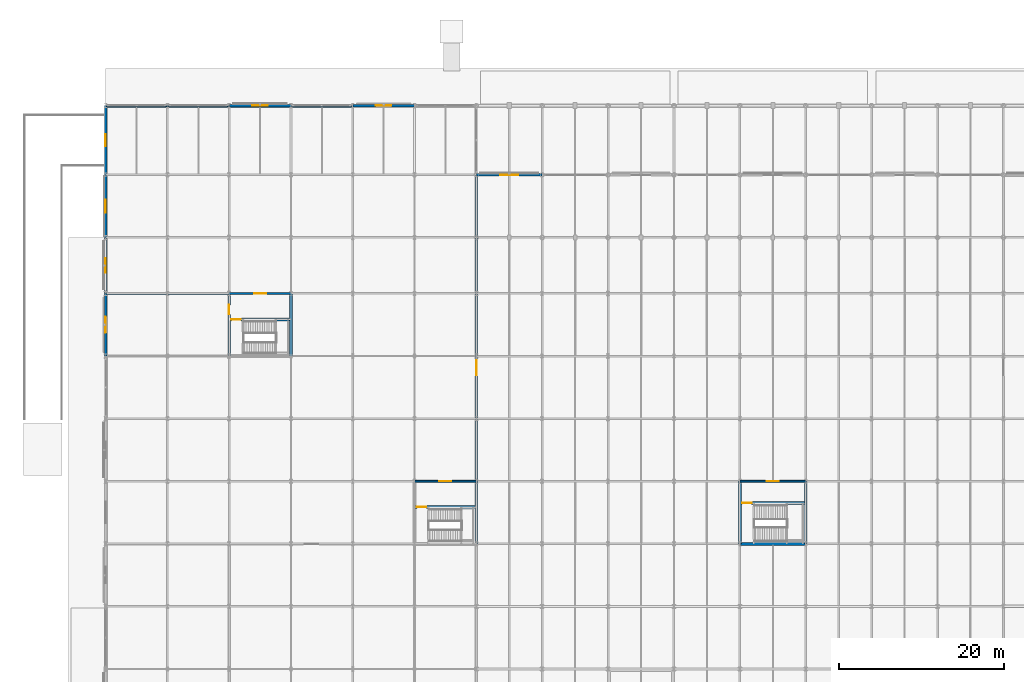
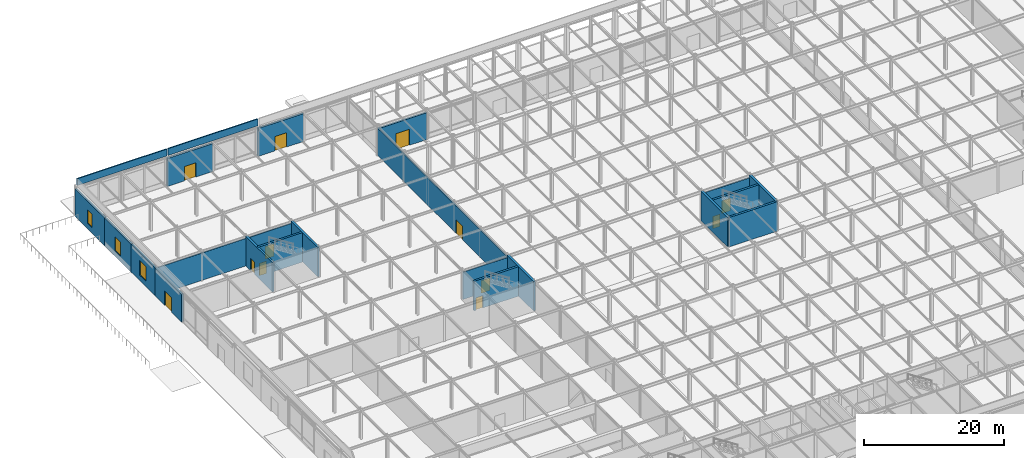
# One storey, part 67 of 89: 23 walls, 12 doors, 3 windows, 15 openings.
"""IFC4 building model written with IfcOpenShell, lengths in metres."""

from ifc_helpers import new_model, si_unit, direction, frame, frame_2d, origin, place, context, subcontext, project, spatial, rectangle, extrude, material, layer, layer_set, type_object, element, fill, save


model = new_model("IFC4")

# Units and contexts
model_context = context("Model", 3, precision=1e-05, world=origin(), true_north=direction((0.0, 1.0)))
body_context = subcontext(model_context, "Body", "Model", "MODEL_VIEW")
ifc_project = project(units=[si_unit("LENGTHUNIT", "METRE"), si_unit("AREAUNIT", "SQUARE_METRE"), si_unit("VOLUMEUNIT", "CUBIC_METRE"), si_unit("PLANEANGLEUNIT", "RADIAN"), si_unit("MASSUNIT", "GRAM", prefix="KILO")], contexts=[model_context])

# Site, building, storey
site_placement = place(None, origin())
site = spatial("IfcSite", under=ifc_project, at=site_placement, CompositionType="ELEMENT")
building_placement = place(site_placement, origin())
building = spatial("IfcBuilding", under=site, at=building_placement, Name="Shalkamar Park Central Library", CompositionType="ELEMENT")
storey_placement = place(building_placement, origin())
storey = spatial("IfcBuildingStorey", under=building, at=storey_placement, Name="L01", CompositionType="ELEMENT", Elevation=0.0)

# Wall, opening, door
ifc_material_1 = material(Name="Fire-rated corridor partition wall", Category="masonry")
ifc_layer_1 = layer(ifc_material_1, 0.199951171875)
ifc_layer_set_1 = layer_set([ifc_layer_1], Name="CorridorFireWall_200")
wall_type_1 = type_object("IfcWallType", Name="Corridor Fire Wall 200", PredefinedType="PARTITIONING", material=ifc_layer_set_1)
wall_1_placement = place(storey_placement, frame((157.5, 308.39990234375, 0.0), z_axis=(0.0, 0.0, 1.0), x_axis=(1.0, 0.0, 0.0)))
wall_1 = element("IfcWall", 1, at=wall_1_placement, inside=storey, type_object=wall_type_1, Name="CORE-P2 Vestibule North Wall (L01)", PredefinedType="PARTITIONING", context=body_context, shape_type="SweptSolid", body=[
    extrude(rectangle(XDim=7.5, YDim=0.199951171875, at=frame_2d((3.75, 0.0))), origin(), (0.0, 0.0, 1.0), 4.778076171875),
])
opening_1_placement = place(wall_1_placement, frame((3.02490234375, 0.0, 0.0)))
opening_1 = element("IfcOpeningElement", 2, at=opening_1_placement, cuts=wall_1, Name="Opening DR-ST-P2-L01-VEST", PredefinedType="OPENING", context=body_context, shape_type="SweptSolid", body=[
    extrude(rectangle(XDim=1.449951171875, YDim=2.199951171875, at=frame_2d((0.72509765625, 1.10009765625))), frame((0.0, 0.11474609375, 0.0), z_axis=(0.0, -1.0, 0.0), x_axis=(1.0, 0.0, 0.0)), (0.0, 0.0, 1.0), 0.229736328125),
])
ifc_material_2 = material(Name="Steel S355", Category="steel")
door_type_1 = type_object("IfcDoorType", Name="Stair Vestibule Door 1450x2200", OperationType="DOUBLE_DOOR_SINGLE_SWING", PredefinedType="DOOR", material=ifc_material_2)
door_1_placement = place(opening_1_placement, origin())
door_1 = element("IfcDoor", 3, at=door_1_placement, inside=storey, type_object=door_type_1, Name="Protected Stair ST-P2 Vestibule Door (L01)", OperationType="DOUBLE_DOOR_SINGLE_SWING", OverallHeight=2.199951171875, OverallWidth=1.449951171875, PredefinedType="DOOR", context=body_context, shape_type="SweptSolid", body=[
    extrude(rectangle(XDim=1.449951171875, YDim=2.199951171875, at=frame_2d((0.72509765625, 1.10009765625))), frame((0.0, 0.02490234375, 0.0), z_axis=(0.0, -1.0, 0.0), x_axis=(1.0, 0.0, 0.0)), (0.0, 0.0, 1.0), 0.050048828125),
])
fill(opening_1, door_1)

wall_2_placement = place(storey_placement, frame((135.0, 331.199951171875, 0.0), z_axis=(0.0, 0.0, 1.0), x_axis=(1.0, 0.0, 0.0)))
wall_2 = element("IfcWall", 4, at=wall_2_placement, inside=storey, type_object=wall_type_1, Name="CORE-P5 Vestibule North Wall (L01)", PredefinedType="PARTITIONING", context=body_context, shape_type="SweptSolid", body=[
    extrude(rectangle(XDim=7.5, YDim=0.199951171875, at=frame_2d((3.75, 0.0))), origin(), (0.0, 0.0, 1.0), 4.778076171875),
])
opening_2_placement = place(wall_2_placement, frame((3.02490234375, 0.0, 0.0)))
opening_2 = element("IfcOpeningElement", 5, at=opening_2_placement, cuts=wall_2, Name="Opening DR-ST-P5-L01-VEST", PredefinedType="OPENING", context=body_context, shape_type="SweptSolid", body=[
    extrude(rectangle(XDim=1.449951171875, YDim=2.199951171875, at=frame_2d((0.72509765625, 1.10009765625))), frame((0.0, 0.11474609375, 0.0), z_axis=(0.0, -1.0, 0.0), x_axis=(1.0, 0.0, 0.0)), (0.0, 0.0, 1.0), 0.229736328125),
])
door_2_placement = place(opening_2_placement, origin())
door_2 = element("IfcDoor", 6, at=door_2_placement, inside=storey, type_object=door_type_1, Name="Protected Stair ST-P5 Vestibule Door (L01)", OperationType="DOUBLE_DOOR_SINGLE_SWING", OverallHeight=2.199951171875, OverallWidth=1.449951171875, PredefinedType="DOOR", context=body_context, shape_type="SweptSolid", body=[
    extrude(rectangle(XDim=1.449951171875, YDim=2.199951171875, at=frame_2d((0.72509765625, 1.10009765625))), frame((0.0, 0.02490234375, 0.0), z_axis=(0.0, -1.0, 0.0), x_axis=(1.0, 0.0, 0.0)), (0.0, 0.0, 1.0), 0.050048828125),
])
fill(opening_2, door_2)

wall_3_placement = place(storey_placement, frame((197.0, 308.39990234375, 0.0), z_axis=(0.0, 0.0, 1.0), x_axis=(1.0, 0.0, 0.0)))
wall_3 = element("IfcWall", 7, at=wall_3_placement, inside=storey, type_object=wall_type_1, Name="CORE-P7 Vestibule North Wall (L01)", PredefinedType="PARTITIONING", context=body_context, shape_type="SweptSolid", body=[
    extrude(rectangle(XDim=8.0, YDim=0.199951171875, at=frame_2d((4.0, 0.0))), origin(), (0.0, 0.0, 1.0), 4.68798828125),
])
opening_3_placement = place(wall_3_placement, frame((3.27490234375, 0.0, 0.0)))
opening_3 = element("IfcOpeningElement", 8, at=opening_3_placement, cuts=wall_3, Name="Opening DR-ST-P7-L01-VEST", PredefinedType="OPENING", context=body_context, shape_type="SweptSolid", body=[
    extrude(rectangle(XDim=1.449951171875, YDim=2.199951171875, at=frame_2d((0.72509765625, 1.10009765625))), frame((0.0, 0.11474609375, 0.0), z_axis=(0.0, -1.0, 0.0), x_axis=(1.0, 0.0, 0.0)), (0.0, 0.0, 1.0), 0.229736328125),
])
door_3_placement = place(opening_3_placement, origin())
door_3 = element("IfcDoor", 9, at=door_3_placement, inside=storey, type_object=door_type_1, Name="Protected Stair ST-P7 Vestibule Door (L01)", OperationType="DOUBLE_DOOR_SINGLE_SWING", OverallHeight=2.199951171875, OverallWidth=1.449951171875, PredefinedType="DOOR", context=body_context, shape_type="SweptSolid", body=[
    extrude(rectangle(XDim=1.449951171875, YDim=2.199951171875, at=frame_2d((0.72509765625, 1.10009765625))), frame((0.0, 0.02490234375, 0.0), z_axis=(0.0, -1.0, 0.0), x_axis=(1.0, 0.0, 0.0)), (0.0, 0.0, 1.0), 0.050048828125),
])
fill(opening_3, door_3)

wall_4_placement = place(storey_placement, frame((165.0, 308.39990234375, 0.0), z_axis=(0.0, 0.0, 1.0), x_axis=(0.0, 1.0, 0.0)))
wall_4 = element("IfcWall", 10, at=wall_4_placement, inside=storey, type_object=wall_type_1, Name="Interior Partition WL-INT-L01-038-S2", PredefinedType="PARTITIONING", context=body_context, shape_type="SweptSolid", body=[
    extrude(rectangle(XDim=37.2001953125, YDim=0.199951171875, at=frame_2d((18.60009765625, 0.0))), origin(), (0.0, 0.0, 1.0), 4.778076171875),
])
opening_4_placement = place(wall_4_placement, frame((12.860107421875, 0.0, 0.0)))
opening_4 = element("IfcOpeningElement", 11, at=opening_4_placement, cuts=wall_4, Name="Opening DR-L01-030", PredefinedType="OPENING", context=body_context, shape_type="SweptSolid", body=[
    extrude(rectangle(XDim=1.800048828125, YDim=2.39990234375, at=frame_2d((0.89990234375, 1.199951171875))), frame((0.0, 0.11474609375, 0.0), z_axis=(0.0, -1.0, 0.0), x_axis=(1.0, 0.0, 0.0)), (0.0, 0.0, 1.0), 0.229736328125),
])
door_type_2 = type_object("IfcDoorType", Name="Interior Door Double 1800x2400", OperationType="DOUBLE_DOOR_SINGLE_SWING", PredefinedType="DOOR", material=ifc_material_2)
door_4_placement = place(opening_4_placement, origin())
door_4 = element("IfcDoor", 12, at=door_4_placement, inside=storey, type_object=door_type_2, Name="Children's Library Foyer Portal", OperationType="DOUBLE_DOOR_SINGLE_SWING", OverallHeight=2.39990234375, OverallWidth=1.800048828125, PredefinedType="DOOR", context=body_context, shape_type="SweptSolid", body=[
    extrude(rectangle(XDim=1.800048828125, YDim=2.39990234375, at=frame_2d((0.89990234375, 1.199951171875))), frame((0.0, 0.02490234375, 0.0), z_axis=(0.0, -1.0, 0.0), x_axis=(1.0, 0.0, 0.0)), (0.0, 0.0, 1.0), 0.050048828125),
])
fill(opening_4, door_4)

# Wall
wall_5_placement = place(storey_placement, frame((120.0, 331.199951171875, 0.0), z_axis=(0.0, 0.0, 1.0), x_axis=(1.0, 0.0, 0.0)))
element("IfcWall", 13, at=wall_5_placement, inside=storey, type_object=wall_type_1, Name="Interior Partition WL-INT-L01-043", PredefinedType="PARTITIONING", context=body_context, shape_type="SweptSolid", body=[
    extrude(rectangle(XDim=15.0, YDim=0.199951171875, at=frame_2d((7.5, 0.0))), origin(), (0.0, 0.0, 1.0), 4.7880859375),
])

# Wall, opening, door
ifc_material_3 = material(Name="Concrete C35/45 precast", Category="concrete")
ifc_layer_2 = layer(ifc_material_3, 0.320068359375)
ifc_layer_set_2 = layer_set([ifc_layer_2], Name="Concrete C35/45 precast")
wall_type_2 = type_object("IfcWallType", Name="Granite Plinth External Wall 320", PredefinedType="SOLIDWALL", material=ifc_layer_set_2)
wall_6_placement = place(storey_placement, frame((135.006103515625, 354.0, 0.0), z_axis=(0.0, 0.0, 1.0), x_axis=(1.0, 0.0, 0.0)))
wall_6 = element("IfcWall", 14, at=wall_6_placement, inside=storey, type_object=wall_type_2, Name="Exterior Facade Wall WL-EXT-L01-019", PredefinedType="SOLIDWALL", context=body_context, shape_type="SweptSolid", body=[
    extrude(rectangle(XDim=7.48779296875, YDim=0.320068359375, at=frame_2d((3.743896484375, 0.0))), origin(), (0.0, 0.0, 1.0), 4.8779296875),
])
opening_5_placement = place(wall_6_placement, frame((2.7939453125, 0.0, 0.0)))
opening_5 = element("IfcOpeningElement", 15, at=opening_5_placement, cuts=wall_6, Name="Opening ED-L01-014", PredefinedType="OPENING", context=body_context, shape_type="SweptSolid", body=[
    extrude(rectangle(XDim=1.89990234375, YDim=2.5, at=frame_2d((0.949951171875, 1.25))), frame((0.0, 0.1748046875, 0.0), z_axis=(0.0, -1.0, 0.0), x_axis=(1.0, 0.0, 0.0)), (0.0, 0.0, 1.0), 0.349853515625),
])
ifc_material_4 = material(Name="Thermally broken insulated aluminium and glazed door", Category="aluminium")
door_type_3 = type_object("IfcDoorType", Name="Park Wing Exit Door 1900x2500", OperationType="DOUBLE_DOOR_SINGLE_SWING", PredefinedType="DOOR", material=ifc_material_4)
door_5_placement = place(opening_5_placement, origin())
door_5 = element("IfcDoor", 16, at=door_5_placement, inside=storey, type_object=door_type_3, Name="North Park Wing Exit Door 03", OperationType="DOUBLE_DOOR_SINGLE_SWING", OverallHeight=2.5, OverallWidth=1.89990234375, PredefinedType="DOOR", context=body_context, shape_type="SweptSolid", body=[
    extrude(rectangle(XDim=1.89990234375, YDim=2.5, at=frame_2d((0.949951171875, 1.25))), frame((0.0, 0.02490234375, 0.0), z_axis=(0.0, -1.0, 0.0), x_axis=(1.0, 0.0, 0.0)), (0.0, 0.0, 1.0), 0.050048828125),
])
fill(opening_5, door_5)

wall_7_placement = place(storey_placement, frame((150.006103515625, 354.0, 0.0), z_axis=(0.0, 0.0, 1.0), x_axis=(1.0, 0.0, 0.0)))
wall_7 = element("IfcWall", 17, at=wall_7_placement, inside=storey, type_object=wall_type_2, Name="Exterior Facade Wall WL-EXT-L01-020", PredefinedType="SOLIDWALL", context=body_context, shape_type="SweptSolid", body=[
    extrude(rectangle(XDim=7.48779296875, YDim=0.320068359375, at=frame_2d((3.743896484375, 0.0))), origin(), (0.0, 0.0, 1.0), 4.8779296875),
])
opening_6_placement = place(wall_7_placement, frame((2.7939453125, 0.0, 0.0)))
opening_6 = element("IfcOpeningElement", 18, at=opening_6_placement, cuts=wall_7, Name="Opening ED-L01-015", PredefinedType="OPENING", context=body_context, shape_type="SweptSolid", body=[
    extrude(rectangle(XDim=1.89990234375, YDim=2.5, at=frame_2d((0.949951171875, 1.25))), frame((0.0, 0.1748046875, 0.0), z_axis=(0.0, -1.0, 0.0), x_axis=(1.0, 0.0, 0.0)), (0.0, 0.0, 1.0), 0.349853515625),
])
door_6_placement = place(opening_6_placement, origin())
door_6 = element("IfcDoor", 19, at=door_6_placement, inside=storey, type_object=door_type_3, Name="North Park Wing Exit Door 05", OperationType="DOUBLE_DOOR_SINGLE_SWING", OverallHeight=2.5, OverallWidth=1.89990234375, PredefinedType="DOOR", context=body_context, shape_type="SweptSolid", body=[
    extrude(rectangle(XDim=1.89990234375, YDim=2.5, at=frame_2d((0.949951171875, 1.25))), frame((0.0, 0.02490234375, 0.0), z_axis=(0.0, -1.0, 0.0), x_axis=(1.0, 0.0, 0.0)), (0.0, 0.0, 1.0), 0.050048828125),
])
fill(opening_6, door_6)

wall_8_placement = place(storey_placement, frame((165.006103515625, 345.60009765625, 0.0), z_axis=(0.0, 0.0, 1.0), x_axis=(1.0, 0.0, 0.0)))
wall_8 = element("IfcWall", 20, at=wall_8_placement, inside=storey, type_object=wall_type_2, Name="Exterior Facade Wall WL-EXT-L01-021", PredefinedType="SOLIDWALL", context=body_context, shape_type="SweptSolid", body=[
    extrude(rectangle(XDim=7.98779296875, YDim=0.320068359375, at=frame_2d((3.993896484375, 0.0))), origin(), (0.0, 0.0, 1.0), 4.68798828125),
])
opening_7_placement = place(wall_8_placement, frame((2.89404296875, 0.0, 0.0)))
opening_7 = element("IfcOpeningElement", 21, at=opening_7_placement, cuts=wall_8, Name="Opening ED-L01-016", PredefinedType="OPENING", context=body_context, shape_type="SweptSolid", body=[
    extrude(rectangle(XDim=2.199951171875, YDim=2.800048828125, at=frame_2d((1.10009765625, 1.39990234375))), frame((0.0, 0.1748046875, 0.0), z_axis=(0.0, -1.0, 0.0), x_axis=(1.0, 0.0, 0.0)), (0.0, 0.0, 1.0), 0.349853515625),
])
door_type_4 = type_object("IfcDoorType", Name="Park Proscenium Portal 2200x2800", OperationType="DOUBLE_DOOR_SINGLE_SWING", PredefinedType="DOOR", material=ifc_material_4)
door_7_placement = place(opening_7_placement, origin())
door_7 = element("IfcDoor", 22, at=door_7_placement, inside=storey, type_object=door_type_4, Name="Park Proscenium Entrance Portal 07", OperationType="DOUBLE_DOOR_SINGLE_SWING", OverallHeight=2.800048828125, OverallWidth=2.199951171875, PredefinedType="DOOR", context=body_context, shape_type="SweptSolid", body=[
    extrude(rectangle(XDim=2.199951171875, YDim=2.800048828125, at=frame_2d((1.10009765625, 1.39990234375))), frame((0.0, 0.02490234375, 0.0), z_axis=(0.0, -1.0, 0.0), x_axis=(1.0, 0.0, 0.0)), (0.0, 0.0, 1.0), 0.050048828125),
])
fill(opening_7, door_7)

wall_9_placement = place(storey_placement, frame((120.0, 323.60595703125, 0.0), z_axis=(0.0, 0.0, 1.0), x_axis=(0.0, 1.0, 0.0)))
wall_9 = element("IfcWall", 23, at=wall_9_placement, inside=storey, type_object=wall_type_2, Name="Exterior Facade Wall WL-EXT-L01-038", PredefinedType="SOLIDWALL", context=body_context, shape_type="SweptSolid", body=[
    extrude(rectangle(XDim=7.588134765625, YDim=0.320068359375, at=frame_2d((3.7939453125, 0.0))), origin(), (0.0, 0.0, 1.0), 4.8779296875),
])
opening_8_placement = place(wall_9_placement, frame((2.7939453125, 0.0, 0.0)))
opening_8 = element("IfcOpeningElement", 24, at=opening_8_placement, cuts=wall_9, Name="Opening ED-L01-028", PredefinedType="OPENING", context=body_context, shape_type="SweptSolid", body=[
    extrude(rectangle(XDim=2.0, YDim=2.550048828125, at=frame_2d((1.0, 1.27490234375))), frame((0.0, 0.1748046875, 0.0), z_axis=(0.0, -1.0, 0.0), x_axis=(1.0, 0.0, 0.0)), (0.0, 0.0, 1.0), 0.349853515625),
])
door_type_5 = type_object("IfcDoorType", Name="Plaza Exit Portal 2000x2550", OperationType="DOUBLE_DOOR_SINGLE_SWING", PredefinedType="DOOR", material=ifc_material_4)
door_8_placement = place(opening_8_placement, origin())
door_8 = element("IfcDoor", 25, at=door_8_placement, inside=storey, type_object=door_type_5, Name="West Park Lane Exit Portal M", OperationType="DOUBLE_DOOR_SINGLE_SWING", OverallHeight=2.550048828125, OverallWidth=2.0, PredefinedType="DOOR", context=body_context, shape_type="SweptSolid", body=[
    extrude(rectangle(XDim=2.0, YDim=2.550048828125, at=frame_2d((1.0, 1.27490234375))), frame((0.0, 0.02490234375, 0.0), z_axis=(0.0, -1.0, 0.0), x_axis=(1.0, 0.0, 0.0)), (0.0, 0.0, 1.0), 0.050048828125),
])
fill(opening_8, door_8)

# Wall, opening, window
wall_10_placement = place(storey_placement, frame((120.0, 331.2060546875, 0.0), z_axis=(0.0, 0.0, 1.0), x_axis=(0.0, 1.0, 0.0)))
wall_10 = element("IfcWall", 26, at=wall_10_placement, inside=storey, type_object=wall_type_2, Name="Exterior Facade Wall WL-EXT-L01-039", PredefinedType="SOLIDWALL", context=body_context, shape_type="SweptSolid", body=[
    extrude(rectangle(XDim=6.787841796875, YDim=0.320068359375, at=frame_2d((3.39404296875, 0.0))), origin(), (0.0, 0.0, 1.0), 4.91796875),
])
opening_9_placement = place(wall_10_placement, frame((2.493896484375, 0.0, 0.949951171875)))
opening_9 = element("IfcOpeningElement", 27, at=opening_9_placement, cuts=wall_10, Name="Opening WN-06", PredefinedType="OPENING", context=body_context, shape_type="SweptSolid", body=[
    extrude(rectangle(XDim=1.800048828125, YDim=2.60009765625, at=frame_2d((0.89990234375, 1.300048828125))), frame((0.0, 0.1748046875, 0.0), z_axis=(0.0, -1.0, 0.0), x_axis=(1.0, 0.0, 0.0)), (0.0, 0.0, 1.0), 0.349853515625),
])
ifc_material_5 = material(Name="Thermally broken aluminium and triple low-e glass", Category="glass")
window_type_1 = type_object("IfcWindowType", Name="Podium Window 1800x2600", PartitioningType="DOUBLE_PANEL_VERTICAL", PredefinedType="WINDOW", material=ifc_material_5)
window_1_placement = place(opening_9_placement, origin())
window_1 = element("IfcWindow", 28, at=window_1_placement, inside=storey, type_object=window_type_1, Name="Facade Window WN-L01-011", OverallHeight=2.60009765625, OverallWidth=1.800048828125, PartitioningType="DOUBLE_PANEL_VERTICAL", PredefinedType="WINDOW", context=body_context, shape_type="SweptSolid", body=[
    extrude(rectangle(XDim=1.800048828125, YDim=2.60009765625, at=frame_2d((0.89990234375, 1.300048828125))), frame((0.0, 0.030029296875, 0.0), z_axis=(0.0, -1.0, 0.0), x_axis=(1.0, 0.0, 0.0)), (0.0, 0.0, 1.0), 0.06005859375),
])
fill(opening_9, window_1)

wall_11_placement = place(storey_placement, frame((120.0, 338.006103515625, 0.0), z_axis=(0.0, 0.0, 1.0), x_axis=(0.0, 1.0, 0.0)))
wall_11 = element("IfcWall", 29, at=wall_11_placement, inside=storey, type_object=wall_type_2, Name="Exterior Facade Wall WL-EXT-L01-040", PredefinedType="SOLIDWALL", context=body_context, shape_type="SweptSolid", body=[
    extrude(rectangle(XDim=7.587890625, YDim=0.320068359375, at=frame_2d((3.7939453125, 0.0))), origin(), (0.0, 0.0, 1.0), 4.8779296875),
])
opening_10_placement = place(wall_11_placement, frame((2.993896484375, 0.0, 0.949951171875)))
opening_10 = element("IfcOpeningElement", 30, at=opening_10_placement, cuts=wall_11, Name="Opening WN-07", PredefinedType="OPENING", context=body_context, shape_type="SweptSolid", body=[
    extrude(rectangle(XDim=1.60009765625, YDim=2.39990234375, at=frame_2d((0.800048828125, 1.199951171875))), frame((0.0, 0.1748046875, 0.0), z_axis=(0.0, -1.0, 0.0), x_axis=(1.0, 0.0, 0.0)), (0.0, 0.0, 1.0), 0.349853515625),
])
window_type_2 = type_object("IfcWindowType", Name="Podium Window 1600x2400", PartitioningType="SINGLE_PANEL", PredefinedType="WINDOW", material=ifc_material_5)
window_2_placement = place(opening_10_placement, origin())
window_2 = element("IfcWindow", 31, at=window_2_placement, inside=storey, type_object=window_type_2, Name="Facade Window WN-L01-012", OverallHeight=2.39990234375, OverallWidth=1.60009765625, PartitioningType="SINGLE_PANEL", PredefinedType="WINDOW", context=body_context, shape_type="SweptSolid", body=[
    extrude(rectangle(XDim=1.60009765625, YDim=2.39990234375, at=frame_2d((0.800048828125, 1.199951171875))), frame((0.0, 0.030029296875, 0.0), z_axis=(0.0, -1.0, 0.0), x_axis=(1.0, 0.0, 0.0)), (0.0, 0.0, 1.0), 0.06005859375),
])
fill(opening_10, window_2)

wall_12_placement = place(storey_placement, frame((120.0, 345.60595703125, 0.0), z_axis=(0.0, 0.0, 1.0), x_axis=(0.0, 1.0, 0.0)))
wall_12 = element("IfcWall", 32, at=wall_12_placement, inside=storey, type_object=wall_type_2, Name="Exterior Facade Wall WL-EXT-L01-041", PredefinedType="SOLIDWALL", context=body_context, shape_type="SweptSolid", body=[
    extrude(rectangle(XDim=8.387939453125, YDim=0.320068359375, at=frame_2d((4.19384765625, 0.0))), origin(), (0.0, 0.0, 1.0), 4.837890625),
])
opening_11_placement = place(wall_12_placement, frame((3.493896484375, 0.0, 0.949951171875)))
opening_11 = element("IfcOpeningElement", 33, at=opening_11_placement, cuts=wall_12, Name="Opening WN-08", PredefinedType="OPENING", context=body_context, shape_type="SweptSolid", body=[
    extrude(rectangle(XDim=1.39990234375, YDim=2.39990234375, at=frame_2d((0.699951171875, 1.199951171875))), frame((0.0, 0.1748046875, 0.0), z_axis=(0.0, -1.0, 0.0), x_axis=(1.0, 0.0, 0.0)), (0.0, 0.0, 1.0), 0.349853515625),
])
window_type_3 = type_object("IfcWindowType", Name="Podium Window 1400x2400", PartitioningType="SINGLE_PANEL", PredefinedType="WINDOW", material=ifc_material_5)
window_3_placement = place(opening_11_placement, origin())
window_3 = element("IfcWindow", 34, at=window_3_placement, inside=storey, type_object=window_type_3, Name="Facade Window WN-L01-013", OverallHeight=2.39990234375, OverallWidth=1.39990234375, PartitioningType="SINGLE_PANEL", PredefinedType="WINDOW", context=body_context, shape_type="SweptSolid", body=[
    extrude(rectangle(XDim=1.39990234375, YDim=2.39990234375, at=frame_2d((0.699951171875, 1.199951171875))), frame((0.0, 0.030029296875, 0.0), z_axis=(0.0, -1.0, 0.0), x_axis=(1.0, 0.0, 0.0)), (0.0, 0.0, 1.0), 0.06005859375),
])
fill(opening_11, window_3)

# Wall
ifc_material_6 = material(Name="Concrete C40/50", Category="concrete")
ifc_layer_3 = layer(ifc_material_6, 0.35009765625)
ifc_layer_set_3 = layer_set([ifc_layer_3], Name="Concrete C40/50")
wall_type_3 = type_object("IfcWallType", Name="Podium Core Shear Wall 350", PredefinedType="SHEAR", material=ifc_layer_set_3)
wall_13_placement = place(storey_placement, frame((165.0, 300.800048828125, 0.0), z_axis=(0.0, 0.0, 1.0), x_axis=(0.0, 1.0, 0.0)))
element("IfcWall", 35, at=wall_13_placement, inside=storey, type_object=wall_type_3, Name="CORE-P2 East Shear Wall (L01)", PredefinedType="SHEAR", context=body_context, shape_type="SweptSolid", body=[
    extrude(rectangle(XDim=7.599853515625, YDim=0.35009765625, at=frame_2d((3.7998046875, 0.0))), origin(), (0.0, 0.0, 1.0), 5.139892578125),
])

# Wall, opening, door
wall_14_placement = place(storey_placement, frame((157.5, 305.25, 0.0), z_axis=(0.0, 0.0, 1.0), x_axis=(1.0, 0.0, 0.0)))
wall_14 = element("IfcWall", 36, at=wall_14_placement, inside=storey, type_object=wall_type_3, Name="CORE-P2 Stairwell Wall (L01)", PredefinedType="SHEAR", context=body_context, shape_type="SweptSolid", body=[
    extrude(rectangle(XDim=7.5, YDim=0.35009765625, at=frame_2d((3.75, 0.0))), origin(), (0.0, 0.0, 1.0), 5.139892578125),
])
opening_12_placement = place(wall_14_placement, frame((0.27490234375, 0.0, 0.0)))
opening_12 = element("IfcOpeningElement", 37, at=opening_12_placement, cuts=wall_14, Name="Opening DR-ST-P2-L01-IN", PredefinedType="OPENING", context=body_context, shape_type="SweptSolid", body=[
    extrude(rectangle(XDim=1.14990234375, YDim=2.14990234375, at=frame_2d((0.574951171875, 1.074951171875))), frame((0.0, 0.18994140625, 0.0), z_axis=(0.0, -1.0, 0.0), x_axis=(1.0, 0.0, 0.0)), (0.0, 0.0, 1.0), 0.3798828125),
])
door_type_6 = type_object("IfcDoorType", Name="Stair Core Exit Door 1150x2150", OperationType="NOTDEFINED", PredefinedType="DOOR", material=ifc_material_2)
door_9_placement = place(opening_12_placement, origin())
door_9 = element("IfcDoor", 38, at=door_9_placement, inside=storey, type_object=door_type_6, Name="Protected Stair ST-P2 Exit Door (L01)", OperationType="SINGLE_SWING_LEFT", OverallHeight=2.14990234375, OverallWidth=1.14990234375, PredefinedType="DOOR", context=body_context, shape_type="SweptSolid", body=[
    extrude(rectangle(XDim=1.14990234375, YDim=2.14990234375, at=frame_2d((0.574951171875, 1.074951171875))), frame((0.0, 0.02490234375, 0.0), z_axis=(0.0, -1.0, 0.0), x_axis=(1.0, 0.0, 0.0)), (0.0, 0.0, 1.0), 0.050048828125),
])
fill(opening_12, door_9)

wall_15_placement = place(storey_placement, frame((135.0, 323.60009765625, 0.0), z_axis=(0.0, 0.0, 1.0), x_axis=(0.0, 1.0, 0.0)))
wall_15 = element("IfcWall", 39, at=wall_15_placement, inside=storey, type_object=wall_type_3, Name="CORE-P5 West Shear Wall (L01)", PredefinedType="SHEAR", context=body_context, shape_type="SweptSolid", body=[
    extrude(rectangle(XDim=7.599853515625, YDim=0.35009765625, at=frame_2d((3.7998046875, 0.0))), origin(), (0.0, 0.0, 1.0), 5.139892578125),
])
opening_13_placement = place(wall_15_placement, frame((5.050048828125, 0.0, 0.0)))
opening_13 = element("IfcOpeningElement", 40, at=opening_13_placement, cuts=wall_15, Name="Opening DR-ST-P5-L01-DIS", PredefinedType="OPENING", context=body_context, shape_type="SweptSolid", body=[
    extrude(rectangle(XDim=1.14990234375, YDim=2.14990234375, at=frame_2d((0.574951171875, 1.074951171875))), frame((0.0, 0.18994140625, 0.0), z_axis=(0.0, -1.0, 0.0), x_axis=(1.0, 0.0, 0.0)), (0.0, 0.0, 1.0), 0.3798828125),
])
door_10_placement = place(opening_13_placement, origin())
door_10 = element("IfcDoor", 41, at=door_10_placement, inside=storey, type_object=door_type_6, Name="Protected Stair ST-P5 Grade Discharge Door", OperationType="SINGLE_SWING_RIGHT", OverallHeight=2.14990234375, OverallWidth=1.14990234375, PredefinedType="DOOR", context=body_context, shape_type="SweptSolid", body=[
    extrude(rectangle(XDim=1.14990234375, YDim=2.14990234375, at=frame_2d((0.574951171875, 1.074951171875))), frame((0.0, 0.02490234375, 0.0), z_axis=(0.0, -1.0, 0.0), x_axis=(1.0, 0.0, 0.0)), (0.0, 0.0, 1.0), 0.050048828125),
])
fill(opening_13, door_10)

# Wall
wall_16_placement = place(storey_placement, frame((142.5, 323.60009765625, 0.0), z_axis=(0.0, 0.0, 1.0), x_axis=(0.0, 1.0, 0.0)))
element("IfcWall", 42, at=wall_16_placement, inside=storey, type_object=wall_type_3, Name="CORE-P5 East Shear Wall (L01)", PredefinedType="SHEAR", context=body_context, shape_type="SweptSolid", body=[
    extrude(rectangle(XDim=7.599853515625, YDim=0.35009765625, at=frame_2d((3.7998046875, 0.0))), origin(), (0.0, 0.0, 1.0), 5.139892578125),
])

# Wall, opening, door
wall_17_placement = place(storey_placement, frame((135.0, 328.050048828125, 0.0), z_axis=(0.0, 0.0, 1.0), x_axis=(1.0, 0.0, 0.0)))
wall_17 = element("IfcWall", 43, at=wall_17_placement, inside=storey, type_object=wall_type_3, Name="CORE-P5 Stairwell Wall (L01)", PredefinedType="SHEAR", context=body_context, shape_type="SweptSolid", body=[
    extrude(rectangle(XDim=7.5, YDim=0.35009765625, at=frame_2d((3.75, 0.0))), origin(), (0.0, 0.0, 1.0), 5.139892578125),
])
opening_14_placement = place(wall_17_placement, frame((0.27490234375, 0.0, 0.0)))
opening_14 = element("IfcOpeningElement", 44, at=opening_14_placement, cuts=wall_17, Name="Opening DR-ST-P5-L01-IN", PredefinedType="OPENING", context=body_context, shape_type="SweptSolid", body=[
    extrude(rectangle(XDim=1.14990234375, YDim=2.14990234375, at=frame_2d((0.574951171875, 1.074951171875))), frame((0.0, 0.18994140625, 0.0), z_axis=(0.0, -1.0, 0.0), x_axis=(1.0, 0.0, 0.0)), (0.0, 0.0, 1.0), 0.3798828125),
])
door_11_placement = place(opening_14_placement, origin())
door_11 = element("IfcDoor", 45, at=door_11_placement, inside=storey, type_object=door_type_6, Name="Protected Stair ST-P5 Exit Door (L01)", OperationType="SINGLE_SWING_LEFT", OverallHeight=2.14990234375, OverallWidth=1.14990234375, PredefinedType="DOOR", context=body_context, shape_type="SweptSolid", body=[
    extrude(rectangle(XDim=1.14990234375, YDim=2.14990234375, at=frame_2d((0.574951171875, 1.074951171875))), frame((0.0, 0.02490234375, 0.0), z_axis=(0.0, -1.0, 0.0), x_axis=(1.0, 0.0, 0.0)), (0.0, 0.0, 1.0), 0.050048828125),
])
fill(opening_14, door_11)

# Walls
wall_18_placement = place(storey_placement, frame((197.0, 300.800048828125, 0.0), z_axis=(0.0, 0.0, 1.0), x_axis=(1.0, 0.0, 0.0)))
element("IfcWall", 46, at=wall_18_placement, inside=storey, type_object=wall_type_3, Name="CORE-P7 South Shear Wall (L01)", PredefinedType="SHEAR", context=body_context, shape_type="SweptSolid", body=[
    extrude(rectangle(XDim=8.0, YDim=0.35009765625, at=frame_2d((4.0, 0.0))), origin(), (0.0, 0.0, 1.0), 5.139892578125),
])
for number, where, z_axis, x_axis, name in (
    (47, (197.0, 300.800048828125, 0.0), (0.0, 0.0, 1.0), (0.0, 1.0, 0.0), "CORE-P7 West Shear Wall (L01)"),
    (48, (205.0, 300.800048828125, 0.0), (0.0, 0.0, 1.0), (0.0, 1.0, 0.0), "CORE-P7 East Shear Wall (L01)"),
):
    element("IfcWall", number, at=place(storey_placement, frame(where, z_axis=z_axis, x_axis=x_axis)), inside=storey, type_object=wall_type_3, Name=name, PredefinedType="SHEAR", context=body_context, shape_type="SweptSolid", body=[
        extrude(rectangle(XDim=7.599853515625, YDim=0.35009765625, at=frame_2d((3.7998046875, 0.0))), origin(), (0.0, 0.0, 1.0), 5.139892578125),
    ])

# Wall, opening, door
wall_19_placement = place(storey_placement, frame((197.0, 305.75, 0.0), z_axis=(0.0, 0.0, 1.0), x_axis=(1.0, 0.0, 0.0)))
wall_19 = element("IfcWall", 49, at=wall_19_placement, inside=storey, type_object=wall_type_3, Name="CORE-P7 Stairwell Wall (L01)", PredefinedType="SHEAR", context=body_context, shape_type="SweptSolid", body=[
    extrude(rectangle(XDim=8.0, YDim=0.35009765625, at=frame_2d((4.0, 0.0))), origin(), (0.0, 0.0, 1.0), 5.139892578125),
])
opening_15_placement = place(wall_19_placement, frame((0.27490234375, 0.0, 0.0)))
opening_15 = element("IfcOpeningElement", 50, at=opening_15_placement, cuts=wall_19, Name="Opening DR-ST-P7-L01-IN", PredefinedType="OPENING", context=body_context, shape_type="SweptSolid", body=[
    extrude(rectangle(XDim=1.14990234375, YDim=2.14990234375, at=frame_2d((0.574951171875, 1.074951171875))), frame((0.0, 0.18994140625, 0.0), z_axis=(0.0, -1.0, 0.0), x_axis=(1.0, 0.0, 0.0)), (0.0, 0.0, 1.0), 0.3798828125),
])
door_12_placement = place(opening_15_placement, origin())
door_12 = element("IfcDoor", 51, at=door_12_placement, inside=storey, type_object=door_type_6, Name="Protected Stair ST-P7 Exit Door (L01)", OperationType="SINGLE_SWING_LEFT", OverallHeight=2.14990234375, OverallWidth=1.14990234375, PredefinedType="DOOR", context=body_context, shape_type="SweptSolid", body=[
    extrude(rectangle(XDim=1.14990234375, YDim=2.14990234375, at=frame_2d((0.574951171875, 1.074951171875))), frame((0.0, 0.02490234375, 0.0), z_axis=(0.0, -1.0, 0.0), x_axis=(1.0, 0.0, 0.0)), (0.0, 0.0, 1.0), 0.050048828125),
])
fill(opening_15, door_12)

# Walls
ifc_layer_4 = layer(ifc_material_3, 0.179931640625)
ifc_layer_set_4 = layer_set([ifc_layer_4], Name="Concrete C35/45 precast")
wall_type_4 = type_object("IfcWallType", Name="Roof Parapet Wall 180", PredefinedType="PARAPET", material=ifc_layer_set_4)
for number, where, z_axis, x_axis, name in (
    (52, (120.10009765625, 353.89990234375, 5.39990234375), (0.0, 0.0, 1.0), (1.0, 0.0, 0.0), "Roof Parapet Wall L01-04"),
    (53, (135.10009765625, 353.89990234375, 5.39990234375), (0.0, 0.0, 1.0), (1.0, 0.0, 0.0), "Roof Parapet Wall L01-08"),
):
    element("IfcWall", number, at=place(storey_placement, frame(where, z_axis=z_axis, x_axis=x_axis)), inside=storey, type_object=wall_type_4, Name=name, PredefinedType="PARAPET", context=body_context, shape_type="SweptSolid", body=[
        extrude(rectangle(XDim=14.7998046875, YDim=0.179931640625, at=frame_2d((7.39990234375, 0.0))), origin(), (0.0, 0.0, 1.0), 1.2001953125),
    ])

save(model, "model.ifc")
